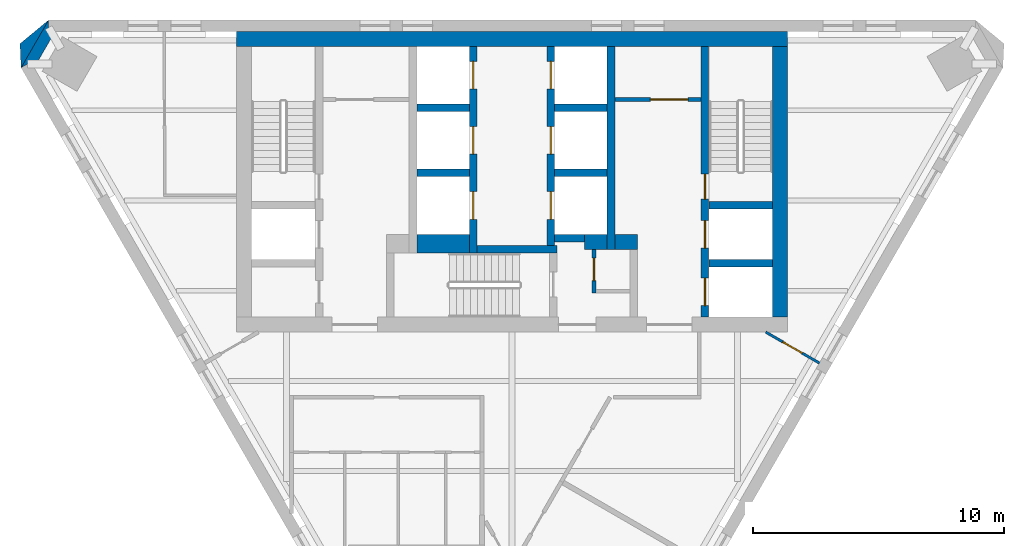
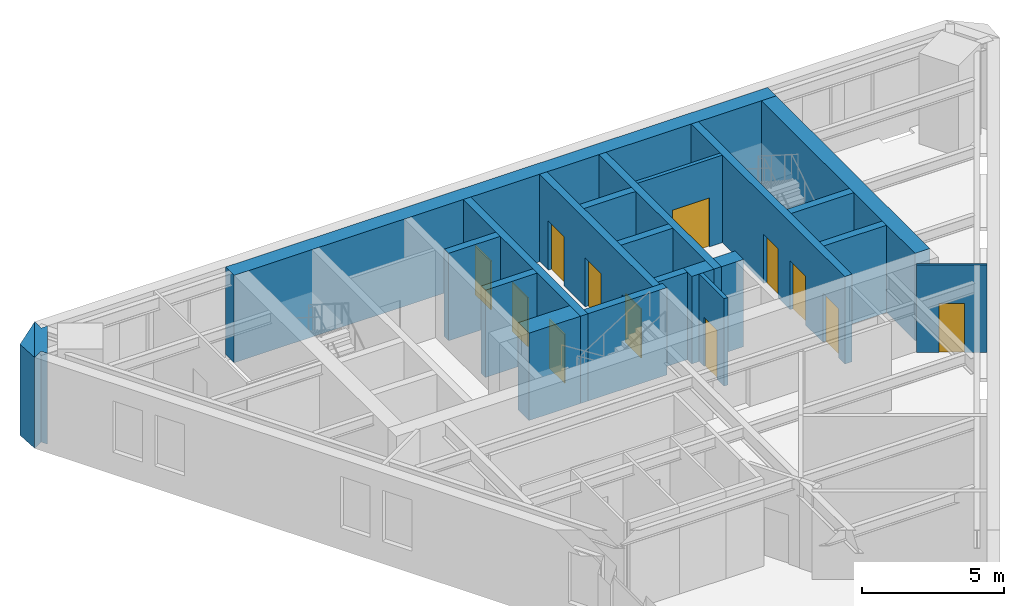
# One storey, part 4 of 6: 22 walls, 12 doors, 12 openings.
"""IFC4 building model written with IfcOpenShell, lengths in metres."""

from ifc_helpers import new_model, si_unit, direction, frame, frame_2d, origin, place, context, subcontext, project, spatial, polyline, rectangle, outline, extrude, material, layer, layer_set, type_object, element, fill, save


model = new_model("IFC4")

# Units and contexts
model_context = context("Model", 3, precision=1e-05, world=origin(), true_north=direction((0.0, 1.0)))
body_context = subcontext(model_context, "Body", "Model", "MODEL_VIEW")
ifc_project = project(units=[si_unit("LENGTHUNIT", "METRE"), si_unit("AREAUNIT", "SQUARE_METRE"), si_unit("VOLUMEUNIT", "CUBIC_METRE"), si_unit("PLANEANGLEUNIT", "RADIAN"), si_unit("MASSUNIT", "GRAM", prefix="KILO")], contexts=[model_context])

# Site, building, storey
site_placement = place(None, origin())
site = spatial("IfcSite", under=ifc_project, at=site_placement, CompositionType="ELEMENT")
building_placement = place(site_placement, origin())
building = spatial("IfcBuilding", under=site, at=building_placement, Name="Aloe Facet Convention Tower", CompositionType="ELEMENT")
storey_placement = place(building_placement, frame((0.0, 0.0, 266.0)))
storey = spatial("IfcBuildingStorey", under=building, at=storey_placement, Name="L65", CompositionType="ELEMENT", Elevation=266.0)

# Wall, opening, door
ifc_material_1 = material(Name="Concrete blockwork partition", Category="masonry")
ifc_layer_1 = layer(ifc_material_1, 0.14990234375)
ifc_layer_set_1 = layer_set([ifc_layer_1], Name="CR-W-PART150")
wall_type_1 = type_object("IfcWallType", Name="CR-W-PART150", PredefinedType="PARTITIONING", material=ifc_layer_set_1)
wall_1_placement = place(storey_placement, frame((83.27490234375, 125.85009765625, 0.0), z_axis=(0.0, 0.0, 1.0), x_axis=(0.0, -1.0, 0.0)))
wall_1 = element("IfcWall", 1, at=wall_1_placement, inside=storey, type_object=wall_type_1, Name="Core partition L65-022", PredefinedType="PARTITIONING", context=body_context, shape_type="SweptSolid", body=[
    extrude(rectangle(XDim=1.75, YDim=0.14990234375, at=frame_2d((0.875, 0.0))), origin(), (0.0, 0.0, 1.0), 3.75),
])
opening_1_placement = place(wall_1_placement, frame((0.35009765625, 0.0, 0.0)))
opening_1 = element("IfcOpeningElement", 2, at=opening_1_placement, cuts=wall_1, Name="Opening L65-CD12", PredefinedType="OPENING", context=body_context, shape_type="SweptSolid", body=[
    extrude(rectangle(XDim=0.89990234375, YDim=2.10009765625, at=frame_2d((0.449951171875, 1.050048828125))), frame((0.0, 0.0849609375, 0.0), z_axis=(0.0, -1.0, 0.0), x_axis=(1.0, 0.0, 0.0)), (0.0, 0.0, 1.0), 0.169921875),
])
ifc_material_2 = material(Name="Steel fire-resisting door set FD60", Category="steel")
door_type_1 = type_object("IfcDoorType", Name="CR-D-REFUGE-900-FD60-SRIGHT", OperationType="SINGLE_SWING_RIGHT", PredefinedType="DOOR", material=ifc_material_2)
door_1_placement = place(opening_1_placement, origin())
door_1 = element("IfcDoor", 3, at=door_1_placement, inside=storey, type_object=door_type_1, Name="Core door L65-CD12", OperationType="SINGLE_SWING_RIGHT", OverallHeight=2.10009765625, OverallWidth=0.89990234375, PredefinedType="DOOR", context=body_context, shape_type="SweptSolid", body=[
    extrude(rectangle(XDim=0.89990234375, YDim=2.10009765625, at=frame_2d((0.449951171875, 1.050048828125))), frame((0.0, 0.02490234375, 0.0), z_axis=(0.0, -1.0, 0.0), x_axis=(1.0, 0.0, 0.0)), (0.0, 0.0, 1.0), 0.050048828125),
])
fill(opening_1, door_1)

wall_2_placement = place(storey_placement, frame((84.10009765625, 131.824951171875, 0.0), z_axis=(0.0, 0.0, 1.0), x_axis=(1.0, 0.0, 0.0)))
wall_2 = element("IfcWall", 4, at=wall_2_placement, inside=storey, type_object=wall_type_1, Name="Core partition L65-025", PredefinedType="PARTITIONING", context=body_context, shape_type="SweptSolid", body=[
    extrude(rectangle(XDim=3.449951171875, YDim=0.14990234375, at=frame_2d((1.72509765625, 0.0))), origin(), (0.0, 0.0, 1.0), 3.75),
])
opening_2_placement = place(wall_2_placement, frame((1.425048828125, 0.0, 0.0)))
opening_2 = element("IfcOpeningElement", 5, at=opening_2_placement, cuts=wall_2, Name="Opening L65-CD13", PredefinedType="OPENING", context=body_context, shape_type="SweptSolid", body=[
    extrude(rectangle(XDim=1.5, YDim=2.10009765625, at=frame_2d((0.75, 1.050048828125))), frame((0.0, 0.0849609375, 0.0), z_axis=(0.0, -1.0, 0.0), x_axis=(1.0, 0.0, 0.0)), (0.0, 0.0, 1.0), 0.169921875),
])
ifc_material_3 = material(Name="Steel fire-resisting door set FD60", Category="steel")
door_type_2 = type_object("IfcDoorType", Name="CR-D-REFUGE-1500-FD60-DD", OperationType="DOUBLE_DOOR_DOUBLE_SWING", PredefinedType="DOOR", material=ifc_material_3)
door_2_placement = place(opening_2_placement, origin())
door_2 = element("IfcDoor", 6, at=door_2_placement, inside=storey, type_object=door_type_2, Name="Core door L65-CD13", OperationType="DOUBLE_DOOR_DOUBLE_SWING", OverallHeight=2.10009765625, OverallWidth=1.5, PredefinedType="DOOR", context=body_context, shape_type="SweptSolid", body=[
    extrude(rectangle(XDim=1.5, YDim=2.10009765625, at=frame_2d((0.75, 1.050048828125))), frame((0.0, 0.02490234375, 0.0), z_axis=(0.0, -1.0, 0.0), x_axis=(1.0, 0.0, 0.0)), (0.0, 0.0, 1.0), 0.050048828125),
])
fill(opening_2, door_2)

# Walls
ifc_material_4 = material(Name="Concrete C50/60", Category="concrete")
ifc_layer_2 = layer(ifc_material_4, 0.300048828125)
ifc_layer_set_2 = layer_set([ifc_layer_2], Name="CR-W-RC300-C5060")
wall_type_2 = type_object("IfcWallType", Name="CR-W-RC300-C5060", PredefinedType="SOLIDWALL", material=ifc_layer_set_2)
for number, where, z_axis, x_axis, name in (
    (7, (76.199951171875, 131.5, 0.0), (0.0, 0.0, 1.0), (1.0, 0.0, 0.0), "Core wall L65-011"),
    (8, (76.199951171875, 128.89990234375, 0.0), (0.0, 0.0, 1.0), (1.0, 0.0, 0.0), "Core wall L65-012"),
):
    element("IfcWall", number, at=place(storey_placement, frame(where, z_axis=z_axis, x_axis=x_axis)), inside=storey, type_object=wall_type_2, Name=name, PredefinedType="SOLIDWALL", context=body_context, shape_type="SweptSolid", body=[
        extrude(rectangle(XDim=2.10009765625, YDim=0.300048828125, at=frame_2d((1.050048828125, 0.0))), origin(), (0.0, 0.0, 1.0), 3.75),
    ])

# Wall, openings, doors
wall_3_placement = place(storey_placement, frame((78.449951171875, 133.949951171875, 0.0), z_axis=(0.0, 0.0, 1.0), x_axis=(0.0, -1.0, 0.0)))
wall_3 = element("IfcWall", 9, at=wall_3_placement, inside=storey, type_object=wall_type_2, Name="Core wall L65-014", PredefinedType="SOLIDWALL", context=body_context, shape_type="SweptSolid", body=[
    extrude(rectangle(XDim=8.25, YDim=0.300048828125, at=frame_2d((4.125, 0.0))), origin(), (0.0, 0.0, 1.0), 3.75),
])
opening_3_placement = place(wall_3_placement, frame((0.60009765625, 0.0, 0.0)))
opening_3 = element("IfcOpeningElement", 10, at=opening_3_placement, cuts=wall_3, Name="Opening LD-B1-L65", PredefinedType="OPENING", context=body_context, shape_type="SweptSolid", body=[
    extrude(rectangle(XDim=1.10009765625, YDim=2.10009765625, at=frame_2d((0.550048828125, 1.050048828125))), frame((0.0, 0.16015625, 0.0), z_axis=(0.0, -1.0, 0.0), x_axis=(1.0, 0.0, 0.0)), (0.0, 0.0, 1.0), 0.320068359375),
])
opening_4_placement = place(wall_3_placement, frame((3.199951171875, 0.0, 0.0)))
opening_4 = element("IfcOpeningElement", 11, at=opening_4_placement, cuts=wall_3, Name="Opening LD-B2-L65", PredefinedType="OPENING", context=body_context, shape_type="SweptSolid", body=[
    extrude(rectangle(XDim=1.10009765625, YDim=2.10009765625, at=frame_2d((0.550048828125, 1.050048828125))), frame((0.0, 0.16015625, 0.0), z_axis=(0.0, -1.0, 0.0), x_axis=(1.0, 0.0, 0.0)), (0.0, 0.0, 1.0), 0.320068359375),
])
opening_5_placement = place(wall_3_placement, frame((5.800048828125, 0.0, 0.0)))
opening_5 = element("IfcOpeningElement", 12, at=opening_5_placement, cuts=wall_3, Name="Opening LD-B3-L65", PredefinedType="OPENING", context=body_context, shape_type="SweptSolid", body=[
    extrude(rectangle(XDim=1.10009765625, YDim=2.10009765625, at=frame_2d((0.550048828125, 1.050048828125))), frame((0.0, 0.16015625, 0.0), z_axis=(0.0, -1.0, 0.0), x_axis=(1.0, 0.0, 0.0)), (0.0, 0.0, 1.0), 0.320068359375),
])
ifc_material_5 = material(Name="Stainless steel sliding landing door", Category="steel")
door_type_3 = type_object("IfcDoorType", Name="CR-LD-1100-FD60-RIGHT", OperationType="SLIDING_TO_RIGHT", PredefinedType="DOOR", material=ifc_material_5)
door_3_placement = place(opening_3_placement, origin())
door_3 = element("IfcDoor", 13, at=door_3_placement, inside=storey, type_object=door_type_3, Name="Landing door B1 L65", OperationType="SLIDING_TO_RIGHT", OverallHeight=2.10009765625, OverallWidth=1.10009765625, PredefinedType="DOOR", context=body_context, shape_type="SweptSolid", body=[
    extrude(rectangle(XDim=1.10009765625, YDim=2.10009765625, at=frame_2d((0.550048828125, 1.050048828125))), frame((0.0, 0.02490234375, 0.0), z_axis=(0.0, -1.0, 0.0), x_axis=(1.0, 0.0, 0.0)), (0.0, 0.0, 1.0), 0.050048828125),
])
fill(opening_3, door_3)
door_4_placement = place(opening_4_placement, origin())
door_4 = element("IfcDoor", 14, at=door_4_placement, inside=storey, type_object=door_type_3, Name="Landing door B2 L65", OperationType="SLIDING_TO_RIGHT", OverallHeight=2.10009765625, OverallWidth=1.10009765625, PredefinedType="DOOR", context=body_context, shape_type="SweptSolid", body=[
    extrude(rectangle(XDim=1.10009765625, YDim=2.10009765625, at=frame_2d((0.550048828125, 1.050048828125))), frame((0.0, 0.02490234375, 0.0), z_axis=(0.0, -1.0, 0.0), x_axis=(1.0, 0.0, 0.0)), (0.0, 0.0, 1.0), 0.050048828125),
])
fill(opening_4, door_4)
door_5_placement = place(opening_5_placement, origin())
door_5 = element("IfcDoor", 15, at=door_5_placement, inside=storey, type_object=door_type_3, Name="Landing door B3 L65", OperationType="SLIDING_TO_RIGHT", OverallHeight=2.10009765625, OverallWidth=1.10009765625, PredefinedType="DOOR", context=body_context, shape_type="SweptSolid", body=[
    extrude(rectangle(XDim=1.10009765625, YDim=2.10009765625, at=frame_2d((0.550048828125, 1.050048828125))), frame((0.0, 0.02490234375, 0.0), z_axis=(0.0, -1.0, 0.0), x_axis=(1.0, 0.0, 0.0)), (0.0, 0.0, 1.0), 0.050048828125),
])
fill(opening_5, door_5)

# Wall
wall_4_placement = place(storey_placement, frame((78.60009765625, 125.85009765625, 0.0), z_axis=(0.0, 0.0, 1.0), x_axis=(1.0, 0.0, 0.0)))
element("IfcWall", 16, at=wall_4_placement, inside=storey, type_object=wall_type_2, Name="Core wall L65-015", PredefinedType="SOLIDWALL", context=body_context, shape_type="SweptSolid", body=[
    extrude(rectangle(XDim=3.199951171875, YDim=0.300048828125, at=frame_2d((1.60009765625, 0.0))), origin(), (0.0, 0.0, 1.0), 3.75),
])

# Wall, openings, doors
wall_5_placement = place(storey_placement, frame((81.550048828125, 133.949951171875, 0.0), z_axis=(0.0, 0.0, 1.0), x_axis=(0.0, -1.0, 0.0)))
wall_5 = element("IfcWall", 17, at=wall_5_placement, inside=storey, type_object=wall_type_2, Name="Core wall L65-016", PredefinedType="SOLIDWALL", context=body_context, shape_type="SweptSolid", body=[
    extrude(rectangle(XDim=7.949951171875, YDim=0.300048828125, at=frame_2d((3.97509765625, 0.0))), origin(), (0.0, 0.0, 1.0), 3.75),
])
opening_6_placement = place(wall_5_placement, frame((0.60009765625, 0.0, 0.0)))
opening_6 = element("IfcOpeningElement", 18, at=opening_6_placement, cuts=wall_5, Name="Opening LD-B4-L65", PredefinedType="OPENING", context=body_context, shape_type="SweptSolid", body=[
    extrude(rectangle(XDim=1.10009765625, YDim=2.10009765625, at=frame_2d((0.550048828125, 1.050048828125))), frame((0.0, 0.16015625, 0.0), z_axis=(0.0, -1.0, 0.0), x_axis=(1.0, 0.0, 0.0)), (0.0, 0.0, 1.0), 0.320068359375),
])
opening_7_placement = place(wall_5_placement, frame((3.199951171875, 0.0, 0.0)))
opening_7 = element("IfcOpeningElement", 19, at=opening_7_placement, cuts=wall_5, Name="Opening LD-B5-L65", PredefinedType="OPENING", context=body_context, shape_type="SweptSolid", body=[
    extrude(rectangle(XDim=1.10009765625, YDim=2.10009765625, at=frame_2d((0.550048828125, 1.050048828125))), frame((0.0, 0.16015625, 0.0), z_axis=(0.0, -1.0, 0.0), x_axis=(1.0, 0.0, 0.0)), (0.0, 0.0, 1.0), 0.320068359375),
])
opening_8_placement = place(wall_5_placement, frame((5.800048828125, 0.0, 0.0)))
opening_8 = element("IfcOpeningElement", 20, at=opening_8_placement, cuts=wall_5, Name="Opening LD-B6-L65", PredefinedType="OPENING", context=body_context, shape_type="SweptSolid", body=[
    extrude(rectangle(XDim=1.10009765625, YDim=2.10009765625, at=frame_2d((0.550048828125, 1.050048828125))), frame((0.0, 0.16015625, 0.0), z_axis=(0.0, -1.0, 0.0), x_axis=(1.0, 0.0, 0.0)), (0.0, 0.0, 1.0), 0.320068359375),
])
ifc_material_6 = material(Name="Stainless steel sliding landing door", Category="steel")
door_type_4 = type_object("IfcDoorType", Name="CR-LD-1100-FD60-_LEFT", OperationType="SLIDING_TO_LEFT", PredefinedType="DOOR", material=ifc_material_6)
door_6_placement = place(opening_6_placement, origin())
door_6 = element("IfcDoor", 21, at=door_6_placement, inside=storey, type_object=door_type_4, Name="Landing door B4 L65", OperationType="SLIDING_TO_LEFT", OverallHeight=2.10009765625, OverallWidth=1.10009765625, PredefinedType="DOOR", context=body_context, shape_type="SweptSolid", body=[
    extrude(rectangle(XDim=1.10009765625, YDim=2.10009765625, at=frame_2d((0.550048828125, 1.050048828125))), frame((0.0, 0.02490234375, 0.0), z_axis=(0.0, -1.0, 0.0), x_axis=(1.0, 0.0, 0.0)), (0.0, 0.0, 1.0), 0.050048828125),
])
fill(opening_6, door_6)
door_7_placement = place(opening_7_placement, origin())
door_7 = element("IfcDoor", 22, at=door_7_placement, inside=storey, type_object=door_type_4, Name="Landing door B5 L65", OperationType="SLIDING_TO_LEFT", OverallHeight=2.10009765625, OverallWidth=1.10009765625, PredefinedType="DOOR", context=body_context, shape_type="SweptSolid", body=[
    extrude(rectangle(XDim=1.10009765625, YDim=2.10009765625, at=frame_2d((0.550048828125, 1.050048828125))), frame((0.0, 0.02490234375, 0.0), z_axis=(0.0, -1.0, 0.0), x_axis=(1.0, 0.0, 0.0)), (0.0, 0.0, 1.0), 0.050048828125),
])
fill(opening_7, door_7)
door_8_placement = place(opening_8_placement, origin())
door_8 = element("IfcDoor", 23, at=door_8_placement, inside=storey, type_object=door_type_4, Name="Landing door B6 L65", OperationType="SLIDING_TO_LEFT", OverallHeight=2.10009765625, OverallWidth=1.10009765625, PredefinedType="DOOR", context=body_context, shape_type="SweptSolid", body=[
    extrude(rectangle(XDim=1.10009765625, YDim=2.10009765625, at=frame_2d((0.550048828125, 1.050048828125))), frame((0.0, 0.02490234375, 0.0), z_axis=(0.0, -1.0, 0.0), x_axis=(1.0, 0.0, 0.0)), (0.0, 0.0, 1.0), 0.050048828125),
])
fill(opening_8, door_8)

# Walls
for number, where, z_axis, x_axis, name in (
    (24, (81.699951171875, 131.5, 0.0), (0.0, 0.0, 1.0), (1.0, 0.0, 0.0), "Core wall L65-018"),
    (25, (81.699951171875, 128.89990234375, 0.0), (0.0, 0.0, 1.0), (1.0, 0.0, 0.0), "Core wall L65-019"),
):
    element("IfcWall", number, at=place(storey_placement, frame(where, z_axis=z_axis, x_axis=x_axis)), inside=storey, type_object=wall_type_2, Name=name, PredefinedType="SOLIDWALL", context=body_context, shape_type="SweptSolid", body=[
        extrude(rectangle(XDim=2.10009765625, YDim=0.300048828125, at=frame_2d((1.050048828125, 0.0))), origin(), (0.0, 0.0, 1.0), 3.75),
    ])
wall_6_placement = place(storey_placement, frame((81.699951171875, 126.300048828125, 0.0), z_axis=(0.0, 0.0, 1.0), x_axis=(1.0, 0.0, 0.0)))
element("IfcWall", 26, at=wall_6_placement, inside=storey, type_object=wall_type_2, Name="Core wall L65-020", PredefinedType="SOLIDWALL", context=body_context, shape_type="SweptSolid", body=[
    extrude(rectangle(XDim=1.199951171875, YDim=0.300048828125, at=frame_2d((0.60009765625, 0.0))), origin(), (0.0, 0.0, 1.0), 3.75),
])
wall_7_placement = place(storey_placement, frame((83.949951171875, 133.949951171875, 0.0), z_axis=(0.0, 0.0, 1.0), x_axis=(0.0, -1.0, 0.0)))
element("IfcWall", 27, at=wall_7_placement, inside=storey, type_object=wall_type_2, Name="Core wall L65-024", PredefinedType="SOLIDWALL", context=body_context, shape_type="SweptSolid", body=[
    extrude(rectangle(XDim=8.099853515625, YDim=0.300048828125, at=frame_2d((4.0498046875, 0.0))), origin(), (0.0, 0.0, 1.0), 3.75),
])

# Wall, openings, doors
wall_8_placement = place(storey_placement, frame((87.699951171875, 133.949951171875, 0.0), z_axis=(0.0, 0.0, 1.0), x_axis=(0.0, -1.0, 0.0)))
wall_8 = element("IfcWall", 28, at=wall_8_placement, inside=storey, type_object=wall_type_2, Name="Core wall L65-028", PredefinedType="SOLIDWALL", context=body_context, shape_type="SweptSolid", body=[
    extrude(rectangle(XDim=10.800048828125, YDim=0.300048828125, at=frame_2d((5.39990234375, 0.0))), origin(), (0.0, 0.0, 1.0), 3.75),
])
opening_9_placement = place(wall_8_placement, frame((6.949951171875, 0.0, 0.0)))
opening_9 = element("IfcOpeningElement", 29, at=opening_9_placement, cuts=wall_8, Name="Opening LD-FF2-L65", PredefinedType="OPENING", context=body_context, shape_type="SweptSolid", body=[
    extrude(rectangle(XDim=1.10009765625, YDim=2.10009765625, at=frame_2d((0.550048828125, 1.050048828125))), frame((0.0, 0.16015625, 0.0), z_axis=(0.0, -1.0, 0.0), x_axis=(1.0, 0.0, 0.0)), (0.0, 0.0, 1.0), 0.320068359375),
])
opening_10_placement = place(wall_8_placement, frame((5.10009765625, 0.0, 0.0)))
opening_10 = element("IfcOpeningElement", 30, at=opening_10_placement, cuts=wall_8, Name="Opening L65-CD17", PredefinedType="OPENING", context=body_context, shape_type="SweptSolid", body=[
    extrude(rectangle(XDim=1.0, YDim=2.10009765625, at=frame_2d((0.5, 1.050048828125))), frame((0.0, 0.16015625, 0.0), z_axis=(0.0, -1.0, 0.0), x_axis=(1.0, 0.0, 0.0)), (0.0, 0.0, 1.0), 0.320068359375),
])
opening_11_placement = place(wall_8_placement, frame((9.25, 0.0, 0.0)))
opening_11 = element("IfcOpeningElement", 31, at=opening_11_placement, cuts=wall_8, Name="Opening LD-SV1-L65", PredefinedType="OPENING", context=body_context, shape_type="SweptSolid", body=[
    extrude(rectangle(XDim=1.10009765625, YDim=2.10009765625, at=frame_2d((0.550048828125, 1.050048828125))), frame((0.0, 0.16015625, 0.0), z_axis=(0.0, -1.0, 0.0), x_axis=(1.0, 0.0, 0.0)), (0.0, 0.0, 1.0), 0.320068359375),
])
ifc_material_7 = material(Name="Steel fire-resisting door set FD120", Category="steel")
door_type_5 = type_object("IfcDoorType", Name="CR-D-STAIR-1000-FD120-SLEFT", OperationType="SINGLE_SWING_LEFT", PredefinedType="DOOR", material=ifc_material_7)
door_9_placement = place(opening_10_placement, origin())
door_9 = element("IfcDoor", 32, at=door_9_placement, inside=storey, type_object=door_type_5, Name="Core door L65-CD17", OperationType="SINGLE_SWING_LEFT", OverallHeight=2.10009765625, OverallWidth=1.0, PredefinedType="DOOR", context=body_context, shape_type="SweptSolid", body=[
    extrude(rectangle(XDim=1.0, YDim=2.10009765625, at=frame_2d((0.5, 1.050048828125))), frame((0.0, 0.02490234375, 0.0), z_axis=(0.0, -1.0, 0.0), x_axis=(1.0, 0.0, 0.0)), (0.0, 0.0, 1.0), 0.050048828125),
])
fill(opening_10, door_9)
ifc_material_8 = material(Name="Stainless steel sliding landing door", Category="steel")
door_type_6 = type_object("IfcDoorType", Name="CR-LD-1100-FD120-_LEFT", OperationType="SLIDING_TO_LEFT", PredefinedType="DOOR", material=ifc_material_8)
door_10_placement = place(opening_9_placement, origin())
door_10 = element("IfcDoor", 33, at=door_10_placement, inside=storey, type_object=door_type_6, Name="Landing door FF2 L65", OperationType="SLIDING_TO_LEFT", OverallHeight=2.10009765625, OverallWidth=1.10009765625, PredefinedType="DOOR", context=body_context, shape_type="SweptSolid", body=[
    extrude(rectangle(XDim=1.10009765625, YDim=2.10009765625, at=frame_2d((0.550048828125, 1.050048828125))), frame((0.0, 0.02490234375, 0.0), z_axis=(0.0, -1.0, 0.0), x_axis=(1.0, 0.0, 0.0)), (0.0, 0.0, 1.0), 0.050048828125),
])
fill(opening_9, door_10)
door_11_placement = place(opening_11_placement, origin())
door_11 = element("IfcDoor", 34, at=door_11_placement, inside=storey, type_object=door_type_6, Name="Landing door SV1 L65", OperationType="SLIDING_TO_LEFT", OverallHeight=2.10009765625, OverallWidth=1.10009765625, PredefinedType="DOOR", context=body_context, shape_type="SweptSolid", body=[
    extrude(rectangle(XDim=1.10009765625, YDim=2.10009765625, at=frame_2d((0.550048828125, 1.050048828125))), frame((0.0, 0.02490234375, 0.0), z_axis=(0.0, -1.0, 0.0), x_axis=(1.0, 0.0, 0.0)), (0.0, 0.0, 1.0), 0.050048828125),
])
fill(opening_11, door_11)

# Walls
for number, where, z_axis, x_axis, name in (
    (35, (87.85009765625, 127.60009765625, 0.0), (0.0, 0.0, 1.0), (1.0, 0.0, 0.0), "Core wall L65-029"),
    (36, (87.85009765625, 125.300048828125, 0.0), (0.0, 0.0, 1.0), (1.0, 0.0, 0.0), "Core wall L65-030"),
):
    element("IfcWall", number, at=place(storey_placement, frame(where, z_axis=z_axis, x_axis=x_axis)), inside=storey, type_object=wall_type_2, Name=name, PredefinedType="SOLIDWALL", context=body_context, shape_type="SweptSolid", body=[
        extrude(rectangle(XDim=2.5498046875, YDim=0.300048828125, at=frame_2d((1.27490234375, 0.0))), origin(), (0.0, 0.0, 1.0), 3.75),
    ])
ifc_material_9 = material(Name="Concrete C50/60", Category="concrete")
ifc_layer_3 = layer(ifc_material_9, 0.60009765625)
ifc_layer_set_3 = layer_set([ifc_layer_3], Name="CR-W-RC600-C5060")
wall_type_3 = type_object("IfcWallType", Name="CR-W-RC600-C5060", PredefinedType="SOLIDWALL", material=ifc_layer_set_3)
wall_9_placement = place(storey_placement, frame((69.0, 134.25, 0.0), z_axis=(0.0, 0.0, 1.0), x_axis=(1.0, 0.0, 0.0)))
element("IfcWall", 37, at=wall_9_placement, inside=storey, type_object=wall_type_3, Name="Core wall L65-001", PredefinedType="SOLIDWALL", context=body_context, shape_type="SweptSolid", body=[
    extrude(rectangle(XDim=22.0, YDim=0.60009765625, at=frame_2d((11.0, 0.0))), origin(), (0.0, 0.0, 1.0), 3.75),
])
wall_10_placement = place(storey_placement, frame((82.89990234375, 126.14990234375, 0.0), z_axis=(0.0, 0.0, 1.0), x_axis=(1.0, 0.0, 0.0)))
element("IfcWall", 38, at=wall_10_placement, inside=storey, type_object=wall_type_3, Name="Core wall L65-021", PredefinedType="SOLIDWALL", context=body_context, shape_type="SweptSolid", body=[
    extrude(rectangle(XDim=0.900146484375, YDim=0.60009765625, at=frame_2d((0.4501953125, 0.0))), origin(), (0.0, 0.0, 1.0), 3.75),
])
wall_11_placement = place(storey_placement, frame((84.10009765625, 126.14990234375, 0.0), z_axis=(0.0, 0.0, 1.0), x_axis=(1.0, 0.0, 0.0)))
element("IfcWall", 39, at=wall_11_placement, inside=storey, type_object=wall_type_3, Name="Core wall L65-026", PredefinedType="SOLIDWALL", context=body_context, shape_type="SweptSolid", body=[
    extrude(rectangle(XDim=0.89990234375, YDim=0.60009765625, at=frame_2d((0.449951171875, 0.0))), origin(), (0.0, 0.0, 1.0), 3.75),
])
wall_12_placement = place(storey_placement, frame((90.699951171875, 133.949951171875, 0.0), z_axis=(0.0, 0.0, 1.0), x_axis=(0.0, -1.0, 0.0)))
element("IfcWall", 40, at=wall_12_placement, inside=storey, type_object=wall_type_3, Name="Core wall L65-031", PredefinedType="SOLIDWALL", context=body_context, shape_type="SweptSolid", body=[
    extrude(rectangle(XDim=10.800048828125, YDim=0.60009765625, at=frame_2d((5.39990234375, 0.0))), origin(), (0.0, 0.0, 1.0), 3.75),
])
ifc_material_10 = material(Name="Concrete C50/60", Category="concrete")
ifc_layer_4 = layer(ifc_material_10, 0.75)
ifc_layer_set_4 = layer_set([ifc_layer_4], Name="CR-W-RC750-C5060")
wall_type_4 = type_object("IfcWallType", Name="CR-W-RC750-C5060", PredefinedType="SOLIDWALL", material=ifc_layer_set_4)
wall_13_placement = place(storey_placement, frame((76.199951171875, 126.074951171875, 0.0), z_axis=(0.0, 0.0, 1.0), x_axis=(1.0, 0.0, 0.0)))
element("IfcWall", 41, at=wall_13_placement, inside=storey, type_object=wall_type_4, Name="Core wall L65-013", PredefinedType="SOLIDWALL", context=body_context, shape_type="SweptSolid", body=[
    extrude(rectangle(XDim=2.10009765625, YDim=0.75, at=frame_2d((1.050048828125, 0.0))), origin(), (0.0, 0.0, 1.0), 3.75),
])
ifc_material_11 = material(Name="Precast concrete C40/50", Category="concrete")
ifc_layer_5 = layer(ifc_material_11, 0.449951171875)
ifc_layer_set_5 = layer_set([ifc_layer_5], Name="EV-WALL-PIER")
wall_type_5 = type_object("IfcWallType", Name="EV-WALL-PIER", PredefinedType="SOLIDWALL", material=ifc_layer_set_5)
wall_14_placement = place(storey_placement, frame((0.0, 0.0, -0.14990234375)))
element("IfcWall", 42, at=wall_14_placement, inside=storey, type_object=wall_type_5, Name="EP-L65-A", PredefinedType="SOLIDWALL", context=body_context, shape_type="SweptSolid", body=[
    extrude(outline(polyline([(61.513916015625, 135.0), (61.513916015625, 134.550048828125), (61.773681640625, 134.550048828125), (60.933349609375, 133.0947265625), (60.803466796875, 133.31982421875), (60.413818359375, 133.0947265625), (61.513916015625, 135.0)])), origin(), (0.0, 0.0, 1.0), 3.89990234375),
])
ifc_material_12 = material(Name="Precast concrete C40/50", Category="concrete")
ifc_layer_6 = layer(ifc_material_12, 3.947998046875)
ifc_layer_set_6 = layer_set([ifc_layer_6], Name="EV-WALL-SPINE")
wall_type_6 = type_object("IfcWallType", Name="EV-WALL-SPINE", PredefinedType="SOLIDWALL", material=ifc_layer_set_6)
wall_15_placement = place(storey_placement, frame((0.0, 0.0, -0.14990234375)))
element("IfcWall", 43, at=wall_15_placement, inside=storey, type_object=wall_type_6, Name="SP-NW-L65", PredefinedType="SOLIDWALL", context=body_context, shape_type="SweptSolid", body=[
    extrude(outline(polyline([(61.513916015625, 135.0), (60.369873046875, 134.053955078125), (60.413818359375, 133.0947265625), (61.513916015625, 135.0)])), origin(), (0.0, 0.0, 1.0), 3.89990234375),
])

# Wall, opening, door
ifc_material_13 = material(Name="Gypsum board partition on steel studs", Category="steel")
ifc_layer_7 = layer(ifc_material_13, 0.10009765625)
ifc_layer_set_7 = layer_set([ifc_layer_7], Name="IN-W-PART")
wall_type_7 = type_object("IfcWallType", Name="IN-W-PART", PredefinedType="PARTITIONING", material=ifc_layer_set_7)
wall_16_placement = place(storey_placement, frame((90.120849609375, 122.550048828125, 0.0), z_axis=(0.0, 0.0, 1.0), x_axis=(0.86604923931, -0.499958713387, 0.0)))
wall_16 = element("IfcWall", 44, at=wall_16_placement, inside=storey, type_object=wall_type_7, Name="Partition L65-W027", PredefinedType="PARTITIONING", context=body_context, shape_type="SweptSolid", body=[
    extrude(rectangle(XDim=2.474853515625, YDim=0.10009765625, at=frame_2d((1.2373046875, 0.0))), origin(), (0.0, 0.0, 1.0), 3.75),
])
opening_12_placement = place(wall_16_placement, frame((0.787353515625, 0.0, 0.0)))
opening_12 = element("IfcOpeningElement", 45, at=opening_12_placement, cuts=wall_16, Name="Opening L65-006", PredefinedType="OPENING", context=body_context, shape_type="SweptSolid", body=[
    extrude(rectangle(XDim=0.89990234375, YDim=2.10009765625, at=frame_2d((0.449951171875, 1.050048828125))), frame((0.0, 0.06005859375, 0.0), z_axis=(0.0, -1.0, 0.0), x_axis=(1.0, 0.0, 0.0)), (0.0, 0.0, 1.0), 0.1201171875),
])
ifc_material_14 = material(Name="Timber door", Category="wood")
door_type_7 = type_object("IfcDoorType", Name="IN-OFF-D-ROOM", OperationType="SINGLE_SWING_LEFT", PredefinedType="DOOR", material=ifc_material_14)
door_12_placement = place(opening_12_placement, origin())
door_12 = element("IfcDoor", 46, at=door_12_placement, inside=storey, type_object=door_type_7, Name="Door L65-006", OperationType="SINGLE_SWING_LEFT", OverallHeight=2.10009765625, OverallWidth=0.89990234375, PredefinedType="DOOR", context=body_context, shape_type="SweptSolid", body=[
    extrude(rectangle(XDim=0.89990234375, YDim=2.10009765625, at=frame_2d((0.449951171875, 1.050048828125))), frame((0.0, 0.02490234375, 0.0), z_axis=(0.0, -1.0, 0.0), x_axis=(1.0, 0.0, 0.0)), (0.0, 0.0, 1.0), 0.050048828125),
])
fill(opening_12, door_12)

save(model, "model.ifc")
